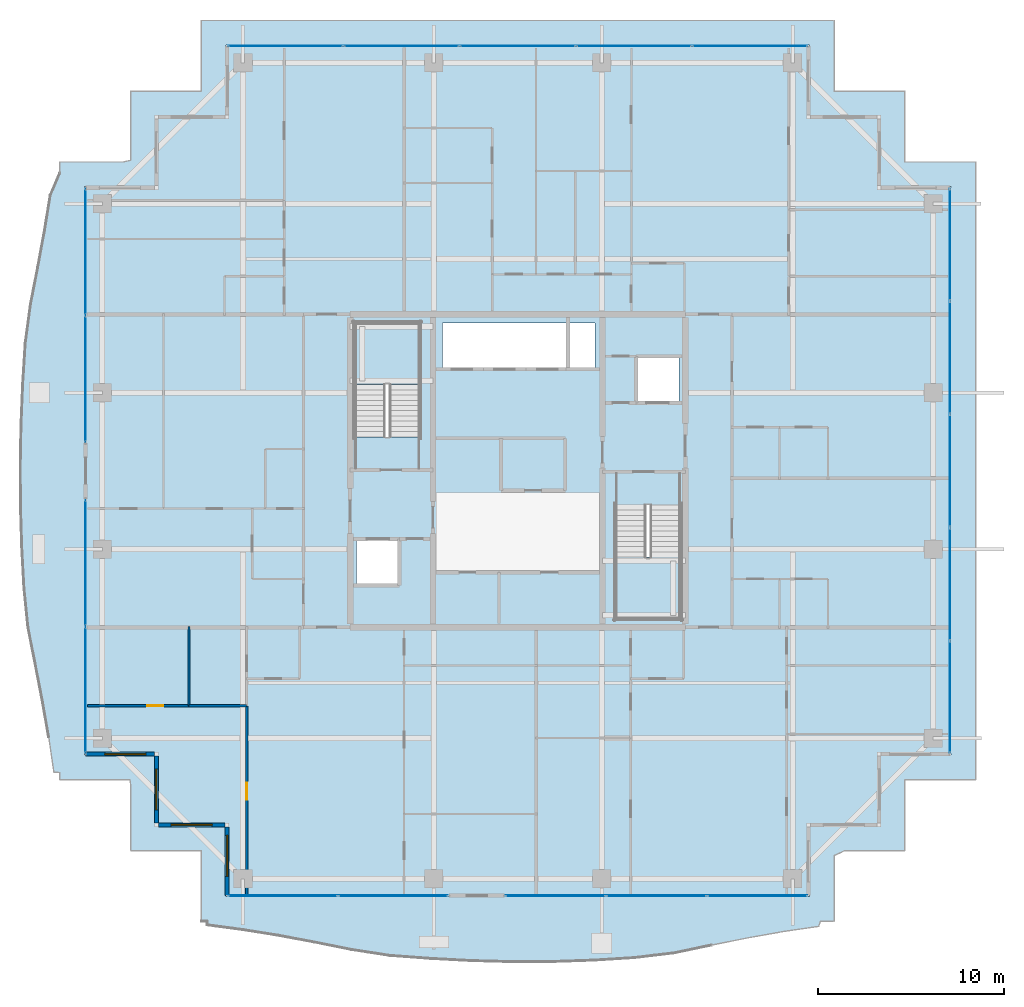
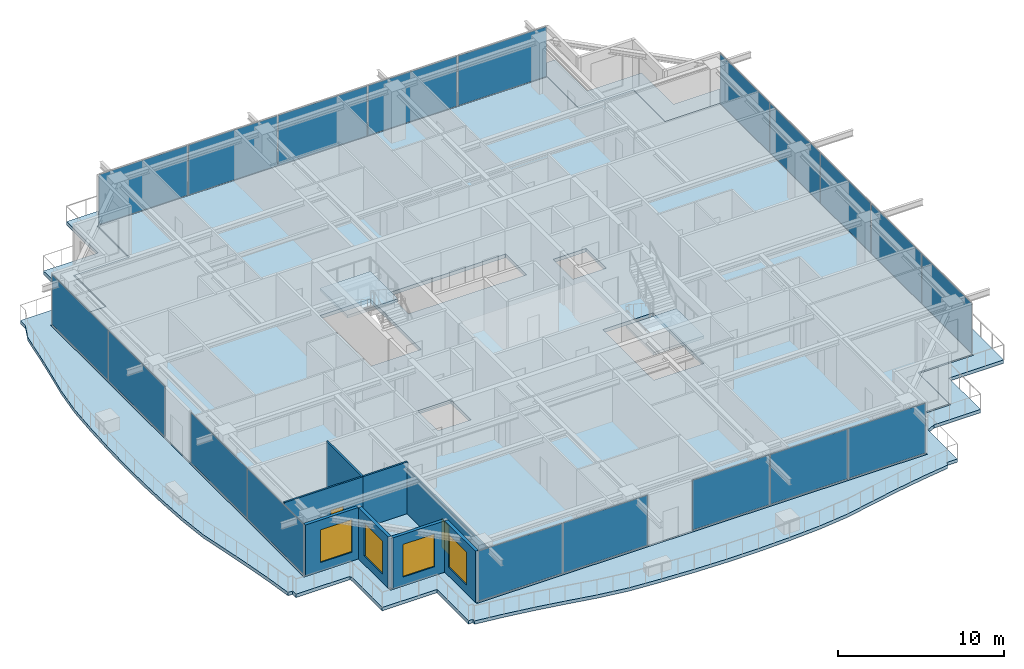
# One storey, part 26 of 38: 19 plates, 8 walls, 4 slabs, 4 windows, 2 doors, 6 openings, 8 elements without a shape of their own.
"""IFC4 building model written with IfcOpenShell, lengths in metres."""

from ifc_helpers import new_model, si_unit, direction, frame, frame_2d, origin, origin_2d, place, context, subcontext, project, spatial, polyline, rectangle, outline, extrude, source, transform, mapped, material, layer, layer_set, type_object, element, fill, aggregate, save


model = new_model("IFC4")

# Units and contexts
model_context = context("Model", 3, precision=1e-05, world=origin(), true_north=direction((0.0, 1.0)))
body_context = subcontext(model_context, "Body", "Model", "MODEL_VIEW")
ifc_project = project(units=[si_unit("LENGTHUNIT", "METRE"), si_unit("AREAUNIT", "SQUARE_METRE"), si_unit("VOLUMEUNIT", "CUBIC_METRE"), si_unit("PLANEANGLEUNIT", "RADIAN"), si_unit("MASSUNIT", "GRAM", prefix="KILO")], contexts=[model_context])

# Site, building, storey
site_placement = place(None, origin())
site = spatial("IfcSite", under=ifc_project, at=site_placement, CompositionType="ELEMENT")
building_placement = place(site_placement, origin())
building = spatial("IfcBuilding", under=site, at=building_placement, Name="Serunith Strait Residences", CompositionType="ELEMENT")
storey_placement = place(building_placement, frame((0.0, 0.0, 321.800048828125)))
storey = spatial("IfcBuildingStorey", under=building, at=storey_placement, Name="L80", CompositionType="ELEMENT", Elevation=321.800048828125)

# Slab
ifc_material_1 = material(Name="Concrete C50/60", Category="concrete")
ifc_layer_1 = layer(ifc_material_1, 0.239990234375, Name="Concrete C50/60")
ifc_layer_set_1 = layer_set([ifc_layer_1], Name="Concrete C50/60")
slab_type_1 = type_object("IfcSlabType", Name="SLB-BALC-240", PredefinedType="FLOOR", material=ifc_layer_set_1)
slab_1_placement = place(storey_placement, frame((0.0, 0.0, -0.2900390625)))
element("IfcSlab", 1, at=slab_1_placement, inside=storey, type_object=slab_type_1, Name="L80 Planted Vertical-Forest Balcony Slab", PredefinedType="FLOOR", context=body_context, shape_type="SweptSolid", body=[
    extrude(outline(polyline([(15.419921875, 1.02001953125), (15.419921875, 4.820068359375), (11.6201171875, 4.820068359375), (11.6201171875, 8.376220703125), (11.582275390625, 8.6201171875), (7.820068359375, 8.6201171875), (7.820068359375, 9.01123046875), (7.501220703125, 9.030029296875), (7.22265625, 10.92919921875), (6.889892578125, 12.84814453125), (6.512939453125, 14.80419921875), (6.115966796875, 16.81640625), (5.902099609375, 18.937255859375), (5.785400390625, 21.1083984375), (5.718994140625, 23.302490234375), (5.7060546875, 25.5068359375), (5.7470703125, 27.708251953125), (5.837646484375, 29.894287109375), (5.97119140625, 32.05419921875), (6.2529296875, 34.14111328125), (6.641357421875, 36.13623046875), (7.000732421875, 38.08203125), (7.312744140625, 39.99658203125), (7.820068359375, 41.181396484375), (7.820068359375, 41.780029296875), (11.231201171875, 41.780029296875), (11.6201171875, 41.877197265625), (11.6201171875, 45.580078125), (15.403076171875, 45.580078125), (15.419921875, 45.586181640625), (15.419921875, 49.3798828125), (49.3798828125, 49.3798828125), (49.3798828125, 45.580078125), (53.179931640625, 45.580078125), (53.179931640625, 41.780029296875), (56.97998046875, 41.780029296875), (56.97998046875, 8.6201171875), (53.179931640625, 8.6201171875), (53.179931640625, 4.820068359375), (49.950439453125, 4.820068359375), (49.3798828125, 4.5498046875), (49.3798828125, 1.02001953125), (48.64111328125, 1.02001953125), (48.553955078125, 0.75439453125), (46.659423828125, 0.4765625), (44.748046875, 0.1376953125), (42.801513671875, -0.254638671875), (40.798583984375, -0.6767578125), (38.684326171875, -0.930419921875), (36.509033203125, -1.066650390625), (34.306396484375, -1.14208984375), (32.091796875, -1.14990234375), (29.88232421875, -1.091064453125), (27.693115234375, -0.974853515625), (25.53515625, -0.814453125), (23.459228515625, -0.495361328125), (21.47265625, -0.093994140625), (19.532958984375, 0.267822265625), (17.621337890625, 0.5751953125), (15.72265625, 0.825439453125), (15.72412109375, 1.02001953125), (15.419921875, 1.02001953125)]), holes=[polyline([(48.054931640625, 2.344970703125), (48.054931640625, 6.14501953125), (51.85498046875, 6.14501953125), (51.85498046875, 9.945068359375), (55.655029296875, 9.945068359375), (55.655029296875, 40.455078125), (51.85498046875, 40.455078125), (51.85498046875, 44.2548828125), (48.054931640625, 44.2548828125), (48.054931640625, 48.054931640625), (16.7451171875, 48.054931640625), (16.7451171875, 44.2548828125), (12.945068359375, 44.2548828125), (12.945068359375, 40.455078125), (9.14501953125, 40.455078125), (9.14501953125, 9.945068359375), (12.945068359375, 9.945068359375), (12.945068359375, 6.14501953125), (16.7451171875, 6.14501953125), (16.7451171875, 2.344970703125), (48.054931640625, 2.344970703125)])]), origin(), (0.0, 0.0, 1.0), 0.239990234375),
])

# Stair, slab
stair_type_1 = type_object("IfcStairType", Name="STR-CORE-1", PredefinedType="HALF_TURN_STAIR", material=ifc_material_1)
stair_1_placement = place(storey_placement, origin())
stair_1 = element("IfcStair", 2, at=stair_1_placement, inside=storey, type_object=stair_type_1, Name="L80 Protected Escape Stair ST-1", PredefinedType="HALF_TURN_STAIR")
ifc_layer_2 = layer(ifc_material_1, 0.199951171875, Name="Concrete C50/60")
ifc_layer_set_2 = layer_set([ifc_layer_2], Name="Concrete C50/60")
slab_type_2 = type_object("IfcSlabType", Name="SLB-LAND-200", PredefinedType="LANDING", material=ifc_layer_set_2)
slab_2_placement = place(storey_placement, frame((0.0, 0.0, 1.824951171875)))
slab_2 = element("IfcSlab", 3, at=slab_2_placement, type_object=slab_type_2, Name="ST-1 landing 1", PredefinedType="LANDING", context=body_context, shape_type="SweptSolid", body=[
    extrude(outline(polyline([(27.14990234375, 29.830078125), (27.14990234375, 33.14990234375), (23.64990234375, 33.14990234375), (23.64990234375, 29.830078125), (27.14990234375, 29.830078125)])), origin(), (0.0, 0.0, 1.0), 0.199951171875),
])
aggregate(stair_1, [slab_2])

stair_type_2 = type_object("IfcStairType", Name="STR-CORE-2", PredefinedType="HALF_TURN_STAIR", material=ifc_material_1)
stair_2_placement = place(storey_placement, origin())
stair_2 = element("IfcStair", 4, at=stair_2_placement, inside=storey, type_object=stair_type_2, Name="L80 Protected Escape Stair ST-2", PredefinedType="HALF_TURN_STAIR")
slab_3_placement = place(storey_placement, frame((0.0, 0.0, 1.824951171875)))
slab_3 = element("IfcSlab", 5, at=slab_3_placement, type_object=slab_type_2, Name="ST-2 landing 1", PredefinedType="LANDING", context=body_context, shape_type="SweptSolid", body=[
    extrude(outline(polyline([(37.64990234375, 20.570068359375), (37.64990234375, 17.25), (41.14990234375, 17.25), (41.14990234375, 20.570068359375), (37.64990234375, 20.570068359375)])), origin(), (0.0, 0.0, 1.0), 0.199951171875),
])
aggregate(stair_2, [slab_3])

# Slab
ifc_material_2 = material(Name="Concrete C60/75", Category="concrete")
ifc_layer_3 = layer(ifc_material_2, 0.260009765625, Name="Concrete C60/75")
ifc_layer_set_3 = layer_set([ifc_layer_3], Name="Concrete C60/75")
slab_type_3 = type_object("IfcSlabType", Name="SLB-TWR-290-Z4", PredefinedType="FLOOR", material=ifc_layer_set_3)
slab_4_placement = place(storey_placement, frame((0.0, 0.0, -0.260009765625)))
element("IfcSlab", 6, at=slab_4_placement, inside=storey, type_object=slab_type_3, Name="L80 Structural Floor Plate", PredefinedType="FLOOR", context=body_context, shape_type="SweptSolid", body=[
    extrude(outline(polyline([(16.800048828125, 6.199951171875), (13.0, 6.199951171875), (13.0, 10.0), (9.199951171875, 10.0), (9.199951171875, 40.39990234375), (13.0, 40.39990234375), (13.0, 44.199951171875), (16.800048828125, 44.199951171875), (16.800048828125, 48.0), (48.0, 48.0), (48.0, 44.199951171875), (51.800048828125, 44.199951171875), (51.800048828125, 40.39990234375), (55.60009765625, 40.39990234375), (55.60009765625, 10.0), (51.800048828125, 10.0), (51.800048828125, 6.199951171875), (48.0, 6.199951171875), (48.0, 2.39990234375), (16.800048828125, 2.39990234375), (16.800048828125, 6.199951171875)]), holes=[polyline([(41.14990234375, 23.3701171875), (37.64990234375, 23.3701171875), (37.64990234375, 17.25), (41.14990234375, 17.25), (41.14990234375, 23.3701171875)]), polyline([(38.75, 31.25), (38.75, 28.85009765625), (41.050048828125, 28.85009765625), (41.050048828125, 31.25), (38.75, 31.25)]), polyline([(36.550048828125, 33.14990234375), (28.35009765625, 33.14990234375), (28.35009765625, 30.64990234375), (36.550048828125, 30.64990234375), (36.550048828125, 33.14990234375)]), polyline([(23.64990234375, 33.14990234375), (23.64990234375, 27.030029296875), (27.14990234375, 27.030029296875), (27.14990234375, 33.14990234375), (23.64990234375, 33.14990234375)]), polyline([(23.75, 21.550048828125), (23.75, 19.14990234375), (26.050048828125, 19.14990234375), (26.050048828125, 21.550048828125), (23.75, 21.550048828125)])]), origin(), (0.0, 0.0, 1.0), 0.260009765625),
])

# Curtain wall, plates
ifc_material_3 = material(Name="Brushed Stainless-Silver Aluminium", Category="aluminium")
ifc_layer_4 = layer(ifc_material_3, 0.199951171875, Name="Brushed Stainless-Silver Aluminium")
ifc_layer_set_4 = layer_set([ifc_layer_4], Name="Brushed Stainless-Silver Aluminium")
curtain_wall_type = type_object("IfcCurtainWallType", Name="CW-SYS5", PredefinedType="NOTDEFINED", material=ifc_layer_set_4)
curtain_wall_1_placement = place(storey_placement, origin())
curtain_wall_1 = element("IfcCurtainWall", 7, at=curtain_wall_1_placement, inside=storey, type_object=curtain_wall_type, Name="L80 W Unitised Fritted Curtain Wall", PredefinedType="NOTDEFINED")
ifc_material_4 = material(Name="Triple-Silver Low-E Operable Glazing 34mm", Category="glass")
ifc_layer_5 = layer(ifc_material_4, 0.033935546875, Name="Triple-Silver Low-E Operable Glazing 34mm")
ifc_layer_set_5 = layer_set([ifc_layer_5], Name="Triple-Silver Low-E Operable Glazing 34mm")
plate_type = type_object("IfcPlateType", Name="CW-SYS5-PNL", PredefinedType="CURTAIN_PANEL", material=ifc_layer_set_5)
shared_shape_1 = source(origin(), body_context, "Body", "SweptSolid", [
    extrude(rectangle(XDim=6.75244140625, YDim=0.033935546875, at=origin_2d()), origin(), (0.0, 0.0, 1.0), 3.655029296875),
])
plate_1_placement = place(storey_placement, frame((9.199951171875, 36.958740234375, 0.06005859375), z_axis=(0.0, 0.0, 1.0), x_axis=(0.0, -1.0, 0.0)))
plate_1 = element("IfcPlate", 8, at=plate_1_placement, type_object=plate_type, Name="CW-5 panel 1.1", PredefinedType="CURTAIN_PANEL", context=body_context, shape_type="MappedRepresentation", body=[
    mapped(shared_shape_1, transform((0.0, 0.0, 0.0), scale=1.0)),
])
plate_2_placement = place(storey_placement, frame((9.199951171875, 30.141357421875, 0.06005859375), z_axis=(0.0, 0.0, 1.0), x_axis=(0.0, -1.0, 0.0)))
plate_2 = element("IfcPlate", 9, at=plate_2_placement, type_object=plate_type, Name="CW-5 panel 2.1", PredefinedType="CURTAIN_PANEL", context=body_context, shape_type="MappedRepresentation", body=[
    mapped(shared_shape_1, transform((0.0, 0.0, 0.0), scale=1.0)),
])
aggregate(curtain_wall_1, [plate_1, plate_2])

curtain_wall_2_placement = place(storey_placement, origin())
curtain_wall_2 = element("IfcCurtainWall", 10, at=curtain_wall_2_placement, inside=storey, type_object=curtain_wall_type, Name="L80 W Unitised Fritted Curtain Wall", PredefinedType="NOTDEFINED")
plate_3_placement = place(storey_placement, frame((9.199951171875, 20.2587890625, 0.06005859375), z_axis=(0.0, 0.0, 1.0), x_axis=(0.0, -1.0, 0.0)))
plate_3 = element("IfcPlate", 11, at=plate_3_placement, type_object=plate_type, Name="CW-5 panel 1.1", PredefinedType="CURTAIN_PANEL", context=body_context, shape_type="MappedRepresentation", body=[
    mapped(shared_shape_1, transform((0.0, 0.0, 0.0), scale=1.0)),
])
plate_4_placement = place(storey_placement, frame((9.199951171875, 13.441162109375, 0.06005859375), z_axis=(0.0, 0.0, 1.0), x_axis=(0.0, -1.0, 0.0)))
plate_4 = element("IfcPlate", 12, at=plate_4_placement, type_object=plate_type, Name="CW-5 panel 2.1", PredefinedType="CURTAIN_PANEL", context=body_context, shape_type="MappedRepresentation", body=[
    mapped(shared_shape_1, transform((0.0, 0.0, 0.0), scale=1.0)),
])
aggregate(curtain_wall_2, [plate_3, plate_4])

curtain_wall_3_placement = place(storey_placement, origin())
curtain_wall_3 = element("IfcCurtainWall", 13, at=curtain_wall_3_placement, inside=storey, type_object=curtain_wall_type, Name="L80 N Unitised Fritted Curtain Wall", PredefinedType="NOTDEFINED")
shared_shape_2 = source(origin(), body_context, "Body", "SweptSolid", [
    extrude(rectangle(XDim=6.142578125, YDim=0.033935546875, at=origin_2d()), origin(), (0.0, 0.0, 1.0), 3.655029296875),
])
plate_5_placement = place(storey_placement, frame((44.86376953125, 48.0, 0.06005859375), z_axis=(0.0, 0.0, 1.0), x_axis=(-1.0, 0.0, 0.0)))
plate_5 = element("IfcPlate", 14, at=plate_5_placement, type_object=plate_type, Name="CW-5 panel 1.1", PredefinedType="CURTAIN_PANEL", context=body_context, shape_type="MappedRepresentation", body=[
    mapped(shared_shape_2, transform((0.0, 0.0, 0.0), scale=1.0)),
])
plate_6_placement = place(storey_placement, frame((19.936279296875, 48.0, 0.06005859375), z_axis=(0.0, 0.0, 1.0), x_axis=(-1.0, 0.0, 0.0)))
plate_6 = element("IfcPlate", 15, at=plate_6_placement, type_object=plate_type, Name="CW-5 panel 5.1", PredefinedType="CURTAIN_PANEL", context=body_context, shape_type="MappedRepresentation", body=[
    mapped(shared_shape_2, transform((0.0, 0.0, 0.0), scale=1.0)),
])
shared_shape_3 = source(origin(), body_context, "Body", "SweptSolid", [
    extrude(rectangle(XDim=6.175048828125, YDim=0.033935546875, at=origin_2d()), origin(), (0.0, 0.0, 1.0), 3.655029296875),
])
plate_7_placement = place(storey_placement, frame((38.639892578125, 48.0, 0.06005859375), z_axis=(0.0, 0.0, 1.0), x_axis=(-1.0, 0.0, 0.0)))
plate_7 = element("IfcPlate", 16, at=plate_7_placement, type_object=plate_type, Name="CW-5 panel 2.1", PredefinedType="CURTAIN_PANEL", context=body_context, shape_type="MappedRepresentation", body=[
    mapped(shared_shape_3, transform((0.0, 0.0, 0.0), scale=1.0)),
])
plate_8_placement = place(storey_placement, frame((32.39990234375, 48.0, 0.06005859375), z_axis=(0.0, 0.0, 1.0), x_axis=(-1.0, 0.0, 0.0)))
plate_8 = element("IfcPlate", 17, at=plate_8_placement, type_object=plate_type, Name="CW-5 panel 3.1", PredefinedType="CURTAIN_PANEL", context=body_context, shape_type="MappedRepresentation", body=[
    mapped(shared_shape_3, transform((0.0, 0.0, 0.0), scale=1.0)),
])
plate_9_placement = place(storey_placement, frame((26.159912109375, 48.0, 0.06005859375), z_axis=(0.0, 0.0, 1.0), x_axis=(-1.0, 0.0, 0.0)))
plate_9 = element("IfcPlate", 18, at=plate_9_placement, type_object=plate_type, Name="CW-5 panel 4.1", PredefinedType="CURTAIN_PANEL", context=body_context, shape_type="MappedRepresentation", body=[
    mapped(shared_shape_3, transform((0.0, 0.0, 0.0), scale=1.0)),
])
aggregate(curtain_wall_3, [plate_5, plate_7, plate_8, plate_9, plate_6])

curtain_wall_4_placement = place(storey_placement, origin())
curtain_wall_4 = element("IfcCurtainWall", 19, at=curtain_wall_4_placement, inside=storey, type_object=curtain_wall_type, Name="L80 E Unitised Fritted Curtain Wall", PredefinedType="NOTDEFINED")
shared_shape_4 = source(origin(), body_context, "Body", "SweptSolid", [
    extrude(rectangle(XDim=5.982421875, YDim=0.033935546875, at=origin_2d()), origin(), (0.0, 0.0, 1.0), 3.655029296875),
])
plate_10_placement = place(storey_placement, frame((55.60009765625, 13.05615234375, 0.06005859375), z_axis=(0.0, 0.0, 1.0), x_axis=(0.0, 1.0, 0.0)))
plate_10 = element("IfcPlate", 20, at=plate_10_placement, type_object=plate_type, Name="CW-5 panel 1.1", PredefinedType="CURTAIN_PANEL", context=body_context, shape_type="MappedRepresentation", body=[
    mapped(shared_shape_4, transform((0.0, 0.0, 0.0), scale=1.0)),
])
plate_11_placement = place(storey_placement, frame((55.60009765625, 37.34375, 0.06005859375), z_axis=(0.0, 0.0, 1.0), x_axis=(0.0, 1.0, 0.0)))
plate_11 = element("IfcPlate", 21, at=plate_11_placement, type_object=plate_type, Name="CW-5 panel 5.1", PredefinedType="CURTAIN_PANEL", context=body_context, shape_type="MappedRepresentation", body=[
    mapped(shared_shape_4, transform((0.0, 0.0, 0.0), scale=1.0)),
])
shared_shape_5 = source(origin(), body_context, "Body", "SweptSolid", [
    extrude(rectangle(XDim=6.014892578125, YDim=0.033935546875, at=origin_2d()), origin(), (0.0, 0.0, 1.0), 3.655029296875),
])
plate_12_placement = place(storey_placement, frame((55.60009765625, 19.1201171875, 0.06005859375), z_axis=(0.0, 0.0, 1.0), x_axis=(0.0, 1.0, 0.0)))
plate_12 = element("IfcPlate", 22, at=plate_12_placement, type_object=plate_type, Name="CW-5 panel 2.1", PredefinedType="CURTAIN_PANEL", context=body_context, shape_type="MappedRepresentation", body=[
    mapped(shared_shape_5, transform((0.0, 0.0, 0.0), scale=1.0)),
])
plate_13_placement = place(storey_placement, frame((55.60009765625, 25.199951171875, 0.06005859375), z_axis=(0.0, 0.0, 1.0), x_axis=(0.0, 1.0, 0.0)))
plate_13 = element("IfcPlate", 23, at=plate_13_placement, type_object=plate_type, Name="CW-5 panel 3.1", PredefinedType="CURTAIN_PANEL", context=body_context, shape_type="MappedRepresentation", body=[
    mapped(shared_shape_5, transform((0.0, 0.0, 0.0), scale=1.0)),
])
plate_14_placement = place(storey_placement, frame((55.60009765625, 31.280029296875, 0.06005859375), z_axis=(0.0, 0.0, 1.0), x_axis=(0.0, 1.0, 0.0)))
plate_14 = element("IfcPlate", 24, at=plate_14_placement, type_object=plate_type, Name="CW-5 panel 4.1", PredefinedType="CURTAIN_PANEL", context=body_context, shape_type="MappedRepresentation", body=[
    mapped(shared_shape_5, transform((0.0, 0.0, 0.0), scale=1.0)),
])
aggregate(curtain_wall_4, [plate_10, plate_12, plate_13, plate_14, plate_11])

curtain_wall_5_placement = place(storey_placement, origin())
curtain_wall_5 = element("IfcCurtainWall", 25, at=curtain_wall_5_placement, inside=storey, type_object=curtain_wall_type, Name="L80 S Unitised Fritted Curtain Wall", PredefinedType="NOTDEFINED")
shared_shape_6 = source(origin(), body_context, "Body", "SweptSolid", [
    extrude(rectangle(XDim=5.8525390625, YDim=0.033935546875, at=origin_2d()), origin(), (0.0, 0.0, 1.0), 3.655029296875),
])
plate_15_placement = place(storey_placement, frame((19.791259765625, 2.39990234375, 0.06005859375), z_axis=(0.0, 0.0, 1.0), x_axis=(1.0, 0.0, 0.0)))
plate_15 = element("IfcPlate", 26, at=plate_15_placement, type_object=plate_type, Name="CW-5 panel 1.1", PredefinedType="CURTAIN_PANEL", context=body_context, shape_type="MappedRepresentation", body=[
    mapped(shared_shape_6, transform((0.0, 0.0, 0.0), scale=1.0)),
])
plate_16_placement = place(storey_placement, frame((25.708740234375, 2.39990234375, 0.06005859375), z_axis=(0.0, 0.0, 1.0), x_axis=(1.0, 0.0, 0.0)))
plate_16 = element("IfcPlate", 27, at=plate_16_placement, type_object=plate_type, Name="CW-5 panel 2.1", PredefinedType="CURTAIN_PANEL", context=body_context, shape_type="MappedRepresentation", body=[
    mapped(shared_shape_6, transform((0.0, 0.0, 0.0), scale=1.0)),
])
aggregate(curtain_wall_5, [plate_15, plate_16])

curtain_wall_6_placement = place(storey_placement, origin())
curtain_wall_6 = element("IfcCurtainWall", 28, at=curtain_wall_6_placement, inside=storey, type_object=curtain_wall_type, Name="L80 S Unitised Fritted Curtain Wall", PredefinedType="NOTDEFINED")
shared_shape_7 = source(origin(), body_context, "Body", "SweptSolid", [
    extrude(rectangle(XDim=5.3359375, YDim=0.033935546875, at=origin_2d()), origin(), (0.0, 0.0, 1.0), 3.655029296875),
])
plate_17_placement = place(storey_placement, frame((34.432861328125, 2.39990234375, 0.06005859375), z_axis=(0.0, 0.0, 1.0), x_axis=(1.0, 0.0, 0.0)))
plate_17 = element("IfcPlate", 29, at=plate_17_placement, type_object=plate_type, Name="CW-5 panel 1.1", PredefinedType="CURTAIN_PANEL", context=body_context, shape_type="MappedRepresentation", body=[
    mapped(shared_shape_7, transform((0.0, 0.0, 0.0), scale=1.0)),
])
plate_18_placement = place(storey_placement, frame((45.26708984375, 2.39990234375, 0.06005859375), z_axis=(0.0, 0.0, 1.0), x_axis=(1.0, 0.0, 0.0)))
plate_18 = element("IfcPlate", 30, at=plate_18_placement, type_object=plate_type, Name="CW-5 panel 3.1", PredefinedType="CURTAIN_PANEL", context=body_context, shape_type="MappedRepresentation", body=[
    mapped(shared_shape_7, transform((0.0, 0.0, 0.0), scale=1.0)),
])
shared_shape_8 = source(origin(), body_context, "Body", "SweptSolid", [
    extrude(rectangle(XDim=5.368408203125, YDim=0.033935546875, at=origin_2d()), origin(), (0.0, 0.0, 1.0), 3.655029296875),
])
plate_19_placement = place(storey_placement, frame((39.85009765625, 2.39990234375, 0.06005859375), z_axis=(0.0, 0.0, 1.0), x_axis=(1.0, 0.0, 0.0)))
plate_19 = element("IfcPlate", 31, at=plate_19_placement, type_object=plate_type, Name="CW-5 panel 2.1", PredefinedType="CURTAIN_PANEL", context=body_context, shape_type="MappedRepresentation", body=[
    mapped(shared_shape_8, transform((0.0, 0.0, 0.0), scale=1.0)),
])
aggregate(curtain_wall_6, [plate_17, plate_19, plate_18])

# Wall, opening, window
ifc_material_5 = material(Name="Pale-Champagne Aluminium Insulated Panel", Category="aluminium")
ifc_layer_6 = layer(ifc_material_5, 0.219970703125, Name="Pale-Champagne Aluminium Insulated Panel")
ifc_layer_set_6 = layer_set([ifc_layer_6], Name="Pale-Champagne Aluminium Insulated Panel")
wall_type_1 = type_object("IfcWallType", Name="EW-ALUM-220", PredefinedType="ELEMENTEDWALL", material=ifc_layer_set_6)
wall_1_placement = place(storey_placement, frame((9.199951171875, 10.0, 0.0), z_axis=(0.0, 0.0, 1.0), x_axis=(1.0, 0.0, 0.0)))
wall_1 = element("IfcWall", 32, at=wall_1_placement, inside=storey, type_object=wall_type_1, Name="L80 Girih Serrated Corner Wall 17", PredefinedType="ELEMENTEDWALL", context=body_context, shape_type="SweptSolid", body=[
    extrude(rectangle(XDim=3.68994140625, YDim=0.219970703125, at=frame_2d((1.844970703125, 0.0))), origin(), (0.0, 0.0, 1.0), 3.77490234375),
])
opening_1_placement = place(wall_1_placement, frame((1.04296875, 0.0, 0.64990234375)))
opening_1 = element("IfcOpeningElement", 33, at=opening_1_placement, cuts=wall_1, Name="Opening W-06", PredefinedType="OPENING", context=body_context, shape_type="SweptSolid", body=[
    extrude(rectangle(XDim=2.199951171875, YDim=2.39990234375, at=frame_2d((1.10009765625, 1.199951171875))), frame((0.0, 0.1201171875, 0.0), z_axis=(0.0, -1.0, 0.0), x_axis=(1.0, 0.0, 0.0)), (0.0, 0.0, 1.0), 0.239990234375),
])
ifc_material_6 = material(Name="Crown Penthouse Low-E Operable Window Glass", Category="glass")
window_type = type_object("IfcWindowType", Name="WIN-C6", PartitioningType="TRIPLE_PANEL_VERTICAL", PredefinedType="WINDOW", material=ifc_material_6)
shared_shape_9 = source(origin(), body_context, "Body", "SweptSolid", [
    extrude(rectangle(XDim=2.199951171875, YDim=2.39990234375, at=frame_2d((1.10009765625, 1.199951171875))), frame((0.0, 0.030029296875, 0.0), z_axis=(0.0, -1.0, 0.0), x_axis=(1.0, 0.0, 0.0)), (0.0, 0.0, 1.0), 0.06005859375),
])
window_1_placement = place(opening_1_placement, origin())
window_1 = element("IfcWindow", 34, at=window_1_placement, inside=storey, type_object=window_type, Name="L80 Corner Operable Fritted Window 17", OverallHeight=2.39990234375, OverallWidth=2.199951171875, PartitioningType="SINGLE_PANEL", PredefinedType="WINDOW", context=body_context, shape_type="MappedRepresentation", body=[
    mapped(shared_shape_9, transform((0.0, 0.0, 0.0), scale=1.0)),
])
fill(opening_1, window_1)

wall_2_placement = place(storey_placement, frame((13.0, 9.889892578125, 0.0), z_axis=(0.0, 0.0, 1.0), x_axis=(0.0, -1.0, 0.0)))
wall_2 = element("IfcWall", 35, at=wall_2_placement, inside=storey, type_object=wall_type_1, Name="L80 Girih Serrated Corner Wall 18", PredefinedType="ELEMENTEDWALL", context=body_context, shape_type="SweptSolid", body=[
    extrude(rectangle(XDim=3.579833984375, YDim=0.219970703125, at=frame_2d((1.7900390625, 0.0))), origin(), (0.0, 0.0, 1.0), 3.77490234375),
])
opening_2_placement = place(wall_2_placement, frame((0.68994140625, 0.0, 0.64990234375)))
opening_2 = element("IfcOpeningElement", 36, at=opening_2_placement, cuts=wall_2, Name="Opening W-06", PredefinedType="OPENING", context=body_context, shape_type="SweptSolid", body=[
    extrude(rectangle(XDim=2.199951171875, YDim=2.39990234375, at=frame_2d((1.10009765625, 1.199951171875))), frame((0.0, 0.1201171875, 0.0), z_axis=(0.0, -1.0, 0.0), x_axis=(1.0, 0.0, 0.0)), (0.0, 0.0, 1.0), 0.239990234375),
])
window_2_placement = place(opening_2_placement, origin())
window_2 = element("IfcWindow", 37, at=window_2_placement, inside=storey, type_object=window_type, Name="L80 Corner Operable Fritted Window 18", OverallHeight=2.39990234375, OverallWidth=2.199951171875, PartitioningType="SINGLE_PANEL", PredefinedType="WINDOW", context=body_context, shape_type="MappedRepresentation", body=[
    mapped(shared_shape_9, transform((0.0, 0.0, 0.0), scale=1.0)),
])
fill(opening_2, window_2)

wall_3_placement = place(storey_placement, frame((13.110107421875, 6.199951171875, 0.0), z_axis=(0.0, 0.0, 1.0), x_axis=(1.0, 0.0, 0.0)))
wall_3 = element("IfcWall", 38, at=wall_3_placement, inside=storey, type_object=wall_type_1, Name="L80 Girih Serrated Corner Wall 19", PredefinedType="ELEMENTEDWALL", context=body_context, shape_type="SweptSolid", body=[
    extrude(rectangle(XDim=3.579833984375, YDim=0.219970703125, at=frame_2d((1.7900390625, 0.0))), origin(), (0.0, 0.0, 1.0), 3.77490234375),
])
opening_3_placement = place(wall_3_placement, frame((0.68994140625, 0.0, 0.64990234375)))
opening_3 = element("IfcOpeningElement", 39, at=opening_3_placement, cuts=wall_3, Name="Opening W-06", PredefinedType="OPENING", context=body_context, shape_type="SweptSolid", body=[
    extrude(rectangle(XDim=2.199951171875, YDim=2.39990234375, at=frame_2d((1.10009765625, 1.199951171875))), frame((0.0, 0.1201171875, 0.0), z_axis=(0.0, -1.0, 0.0), x_axis=(1.0, 0.0, 0.0)), (0.0, 0.0, 1.0), 0.239990234375),
])
window_3_placement = place(opening_3_placement, origin())
window_3 = element("IfcWindow", 40, at=window_3_placement, inside=storey, type_object=window_type, Name="L80 Corner Operable Fritted Window 19", OverallHeight=2.39990234375, OverallWidth=2.199951171875, PartitioningType="SINGLE_PANEL", PredefinedType="WINDOW", context=body_context, shape_type="MappedRepresentation", body=[
    mapped(shared_shape_9, transform((0.0, 0.0, 0.0), scale=1.0)),
])
fill(opening_3, window_3)

wall_4_placement = place(storey_placement, frame((16.800048828125, 6.090087890625, 0.0), z_axis=(0.0, 0.0, 1.0), x_axis=(0.0, -1.0, 0.0)))
wall_4 = element("IfcWall", 41, at=wall_4_placement, inside=storey, type_object=wall_type_1, Name="L80 Girih Serrated Corner Wall 20", PredefinedType="ELEMENTEDWALL", context=body_context, shape_type="SweptSolid", body=[
    extrude(rectangle(XDim=3.690185546875, YDim=0.219970703125, at=frame_2d((1.84521484375, 0.0))), origin(), (0.0, 0.0, 1.0), 3.77490234375),
])
opening_4_placement = place(wall_4_placement, frame((0.447021484375, 0.0, 0.64990234375)))
opening_4 = element("IfcOpeningElement", 42, at=opening_4_placement, cuts=wall_4, Name="Opening W-06", PredefinedType="OPENING", context=body_context, shape_type="SweptSolid", body=[
    extrude(rectangle(XDim=2.199951171875, YDim=2.39990234375, at=frame_2d((1.10009765625, 1.199951171875))), frame((0.0, 0.1201171875, 0.0), z_axis=(0.0, -1.0, 0.0), x_axis=(1.0, 0.0, 0.0)), (0.0, 0.0, 1.0), 0.239990234375),
])
window_4_placement = place(opening_4_placement, origin())
window_4 = element("IfcWindow", 43, at=window_4_placement, inside=storey, type_object=window_type, Name="L80 Corner Operable Fritted Window 20", OverallHeight=2.39990234375, OverallWidth=2.199951171875, PartitioningType="SINGLE_PANEL", PredefinedType="WINDOW", context=body_context, shape_type="MappedRepresentation", body=[
    mapped(shared_shape_9, transform((0.0, 0.0, 0.0), scale=1.0)),
])
fill(opening_4, window_4)

# Wall, opening, door
ifc_material_7 = material(Name="Lightweight steel-stud gypsum partition", Category="steel")
ifc_layer_7 = layer(ifc_material_7, 0.1201171875, Name="Lightweight steel-stud gypsum partition")
ifc_layer_set_7 = layer_set([ifc_layer_7], Name="Lightweight steel-stud gypsum partition")
wall_type_2 = type_object("IfcWallType", Name="IW-PART-120", PredefinedType="PARTITIONING", material=ifc_layer_set_7)
wall_5_placement = place(storey_placement, frame((17.85009765625, 2.4951171875, 0.0), z_axis=(0.0, 0.0, 1.0), x_axis=(0.0, 1.0, 0.0)))
wall_5 = element("IfcWall", 44, at=wall_5_placement, inside=storey, type_object=wall_type_2, Name="L80 Partition Wall 034", PredefinedType="PARTITIONING", context=body_context, shape_type="SweptSolid", body=[
    extrude(rectangle(XDim=10.097900390625, YDim=0.1201171875, at=frame_2d((5.048828125, 0.0))), origin(), (0.0, 0.0, 1.0), 3.2919921875),
])
opening_5_placement = place(wall_5_placement, frame((5.05908203125, 0.0, 0.0)))
opening_5 = element("IfcOpeningElement", 45, at=opening_5_placement, cuts=wall_5, Name="Opening D-RM900", PredefinedType="OPENING", context=body_context, shape_type="SweptSolid", body=[
    extrude(rectangle(XDim=0.89990234375, YDim=2.10009765625, at=frame_2d((0.449951171875, 1.050048828125))), frame((0.0, 0.070068359375, 0.0), z_axis=(0.0, -1.0, 0.0), x_axis=(1.0, 0.0, 0.0)), (0.0, 0.0, 1.0), 0.14013671875),
])
ifc_material_8 = material(Name="Engineered timber flush bedroom door", Category="wood")
door_type_1 = type_object("IfcDoorType", Name="ID-ROOM-900", OperationType="NOTDEFINED", PredefinedType="DOOR", material=ifc_material_8)
shared_shape_10 = source(origin(), body_context, "Body", "SweptSolid", [
    extrude(rectangle(XDim=0.89990234375, YDim=2.10009765625, at=frame_2d((0.449951171875, 1.050048828125))), frame((0.0, 0.02490234375, 0.0), z_axis=(0.0, -1.0, 0.0), x_axis=(1.0, 0.0, 0.0)), (0.0, 0.0, 1.0), 0.050048828125),
])
door_1_placement = place(opening_5_placement, origin())
door_1 = element("IfcDoor", 46, at=door_1_placement, inside=storey, type_object=door_type_1, Name="L80 Master Bedroom 1 8001 Door", OperationType="SINGLE_SWING_LEFT", OverallHeight=2.10009765625, OverallWidth=0.89990234375, PredefinedType="DOOR", context=body_context, shape_type="MappedRepresentation", body=[
    mapped(shared_shape_10, transform((0.0, 0.0, 0.0), scale=1.0)),
])
fill(opening_5, door_1)

wall_6_placement = place(storey_placement, frame((9.294921875, 12.593017578125, 0.0), z_axis=(0.0, 0.0, 1.0), x_axis=(1.0, 0.0, 0.0)))
wall_6 = element("IfcWall", 47, at=wall_6_placement, inside=storey, type_object=wall_type_2, Name="L80 Partition Wall 035", PredefinedType="PARTITIONING", context=body_context, shape_type="SweptSolid", body=[
    extrude(rectangle(XDim=5.455078125, YDim=0.1201171875, at=frame_2d((2.7275390625, 0.0))), origin(), (0.0, 0.0, 1.0), 3.7900390625),
])
opening_6_placement = place(wall_6_placement, frame((3.22412109375, 0.0, 0.0)))
opening_6 = element("IfcOpeningElement", 48, at=opening_6_placement, cuts=wall_6, Name="Opening D-RM850", PredefinedType="OPENING", context=body_context, shape_type="SweptSolid", body=[
    extrude(rectangle(XDim=0.85009765625, YDim=2.10009765625, at=frame_2d((0.425048828125, 1.050048828125))), frame((0.0, 0.070068359375, 0.0), z_axis=(0.0, -1.0, 0.0), x_axis=(1.0, 0.0, 0.0)), (0.0, 0.0, 1.0), 0.14013671875),
])
ifc_material_9 = material(Name="Engineered timber flush study and kitchen door", Category="wood")
door_type_2 = type_object("IfcDoorType", Name="ID-ROOM-850", OperationType="NOTDEFINED", PredefinedType="DOOR", material=ifc_material_9)
shared_shape_11 = source(origin(), body_context, "Body", "SweptSolid", [
    extrude(rectangle(XDim=0.85009765625, YDim=2.10009765625, at=frame_2d((0.425048828125, 1.050048828125))), frame((0.0, 0.02490234375, 0.0), z_axis=(0.0, -1.0, 0.0), x_axis=(1.0, 0.0, 0.0)), (0.0, 0.0, 1.0), 0.050048828125),
])
door_2_placement = place(opening_6_placement, origin())
door_2 = element("IfcDoor", 49, at=door_2_placement, inside=storey, type_object=door_type_2, Name="L80 Wardrobe 8001 Door", OperationType="SINGLE_SWING_RIGHT", OverallHeight=2.10009765625, OverallWidth=0.85009765625, PredefinedType="DOOR", context=body_context, shape_type="MappedRepresentation", body=[
    mapped(shared_shape_11, transform((0.0, 0.0, 0.0), scale=1.0)),
])
fill(opening_6, door_2)

# Walls
wall_7_placement = place(storey_placement, frame((14.751953125, 12.593017578125, 0.0), z_axis=(0.0, 0.0, 1.0), x_axis=(1.0, 0.0, 0.0)))
element("IfcWall", 50, at=wall_7_placement, inside=storey, type_object=wall_type_2, Name="L80 Partition Wall 036", PredefinedType="PARTITIONING", context=body_context, shape_type="SweptSolid", body=[
    extrude(rectangle(XDim=3.09814453125, YDim=0.1201171875, at=frame_2d((1.549072265625, 0.0))), origin(), (0.0, 0.0, 1.0), 3.7900390625),
])
wall_8_placement = place(storey_placement, frame((14.75, 12.593017578125, 0.0), z_axis=(0.0, 0.0, 1.0), x_axis=(0.0, 1.0, 0.0)))
element("IfcWall", 51, at=wall_8_placement, inside=storey, type_object=wall_type_2, Name="L80 Partition Wall 037", PredefinedType="PARTITIONING", context=body_context, shape_type="SweptSolid", body=[
    extrude(rectangle(XDim=4.26708984375, YDim=0.1201171875, at=frame_2d((2.133544921875, 0.0))), origin(), (0.0, 0.0, 1.0), 3.7900390625),
])

save(model, "model.ifc")
